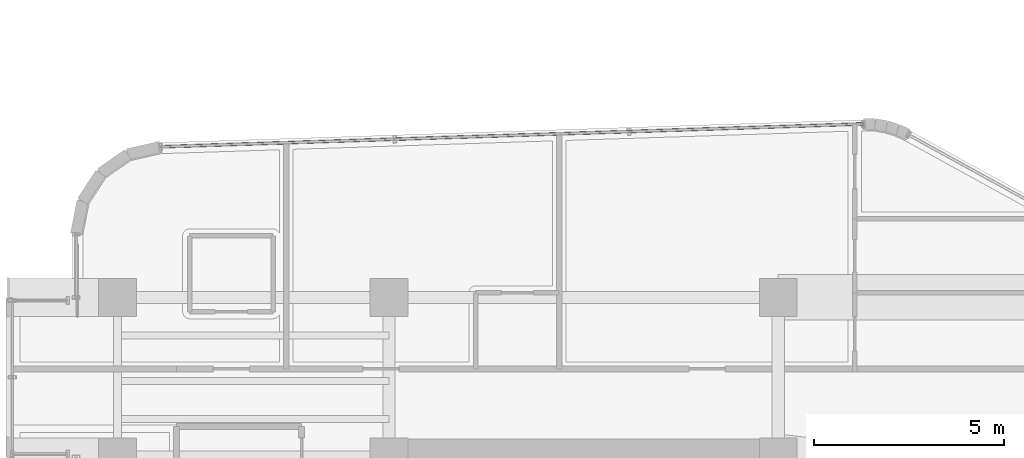
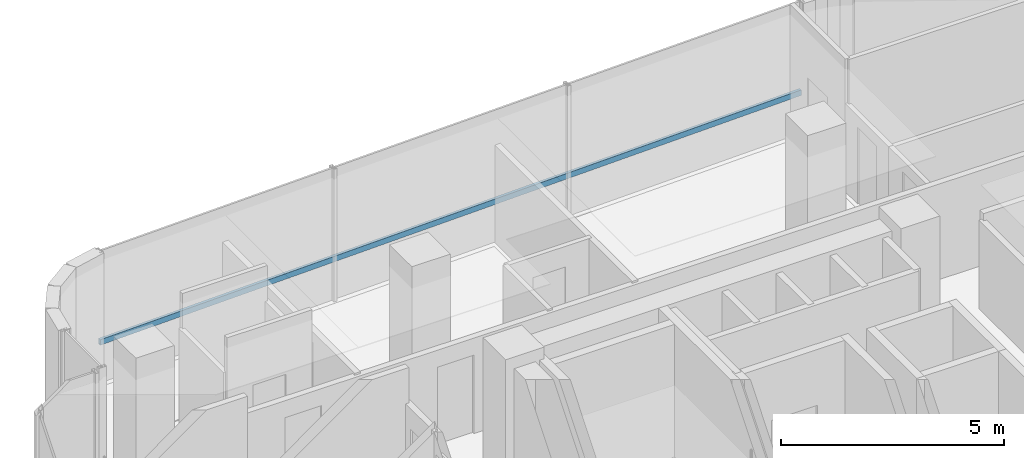
# One storey, part 20 of 39: 1 member, 1 element without a shape of its own.
"""IFC4 building model written with IfcOpenShell, lengths in metres."""

from ifc_helpers import new_model, si_unit, direction, frame, origin, origin_2d, place, context, subcontext, project, spatial, hollow_rectangle, extrude, source, transform, mapped, material, material_profile, profile_set, type_object, element, aggregate, save


model = new_model("IFC4")

# Units and contexts
model_context = context("Model", 3, precision=1e-05, world=origin(), true_north=direction((0.0, 1.0)))
body_context = subcontext(model_context, "Body", "Model", "MODEL_VIEW")
ifc_project = project(units=[si_unit("LENGTHUNIT", "METRE"), si_unit("AREAUNIT", "SQUARE_METRE"), si_unit("VOLUMEUNIT", "CUBIC_METRE"), si_unit("PLANEANGLEUNIT", "RADIAN"), si_unit("MASSUNIT", "GRAM", prefix="KILO")], contexts=[model_context])

# Site, building, storey
site_placement = place(None, origin())
site = spatial("IfcSite", under=ifc_project, at=site_placement, CompositionType="ELEMENT")
building_placement = place(site_placement, origin())
building = spatial("IfcBuilding", under=site, at=building_placement, Name="Valdorenza Pilgrim Sanctuary Tower", CompositionType="ELEMENT")
storey_placement = place(building_placement, frame((0.0, 0.0, 184.449951171875)))
storey = spatial("IfcBuildingStorey", under=building, at=storey_placement, Name="L47", CompositionType="ELEMENT", Elevation=184.449951171875)

# Curtain wall, member
ifc_material_1 = material(Name="Curtain-wall IGU glazing", Category="glass")
curtain_wall_type = type_object("IfcCurtainWallType", Name="CW-SYS-02", PredefinedType="NOTDEFINED", material=ifc_material_1)
curtain_wall_placement = place(storey_placement, origin())
curtain_wall = element("IfcCurtainWall", 1, at=curtain_wall_placement, inside=storey, type_object=curtain_wall_type, Name="L47 Curtain Wall CW-L47-1-6", PredefinedType="NOTDEFINED")
ifc_material_2 = material(Name="Anodised aluminium AW-6060", Category="aluminium")
ifc_material_profile = material_profile(ifc_material_2, hollow_rectangle(XDim=0.074951171875, YDim=0.14990234375, WallThickness=0.00390625, at=origin_2d()), Name="ALU-T 150x75x4")
ifc_profile_set = profile_set([ifc_material_profile], Name="Anodised aluminium AW-6060")
member_type = type_object("IfcMemberType", Name="CW-TRN-02", PredefinedType="USERDEFINED", material=ifc_profile_set)
shared_shape = source(origin(), body_context, "Body", "SweptSolid", [
    extrude(hollow_rectangle(XDim=0.074951171875, YDim=0.14990234375, WallThickness=0.00390625, at=origin_2d()), origin(), (0.0, 0.0, 1.0), 18.515625),
])
member_placement = place(storey_placement, frame((-28.663818359375, 18.76611328125, 1.1201171875), z_axis=(0.99947079366, 0.032528950501, 0.0), x_axis=(-0.032528950501, 0.99947079366, 0.0)))
member = element("IfcMember", 2, at=member_placement, type_object=member_type, Name="CW-L47-1-6 Transom 1", ObjectType="TRANSOM", PredefinedType="USERDEFINED", context=body_context, shape_type="MappedRepresentation", body=[
    mapped(shared_shape, transform((0.0, 0.0, 0.0), x_axis=(1.0, 0.0, 0.0), y_axis=(0.0, 1.0, 0.0), z_axis=(0.0, 0.0, 1.0), scale=1.0)),
])
aggregate(curtain_wall, [member])

save(model, "model.ifc")
